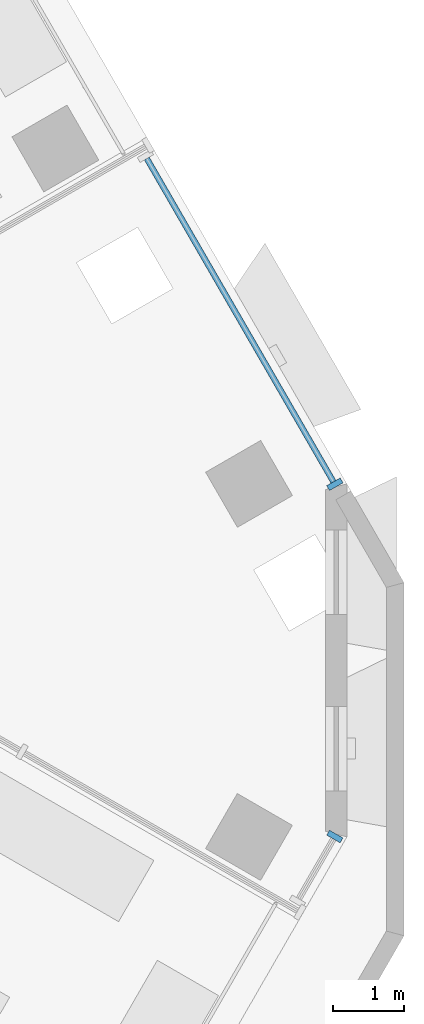
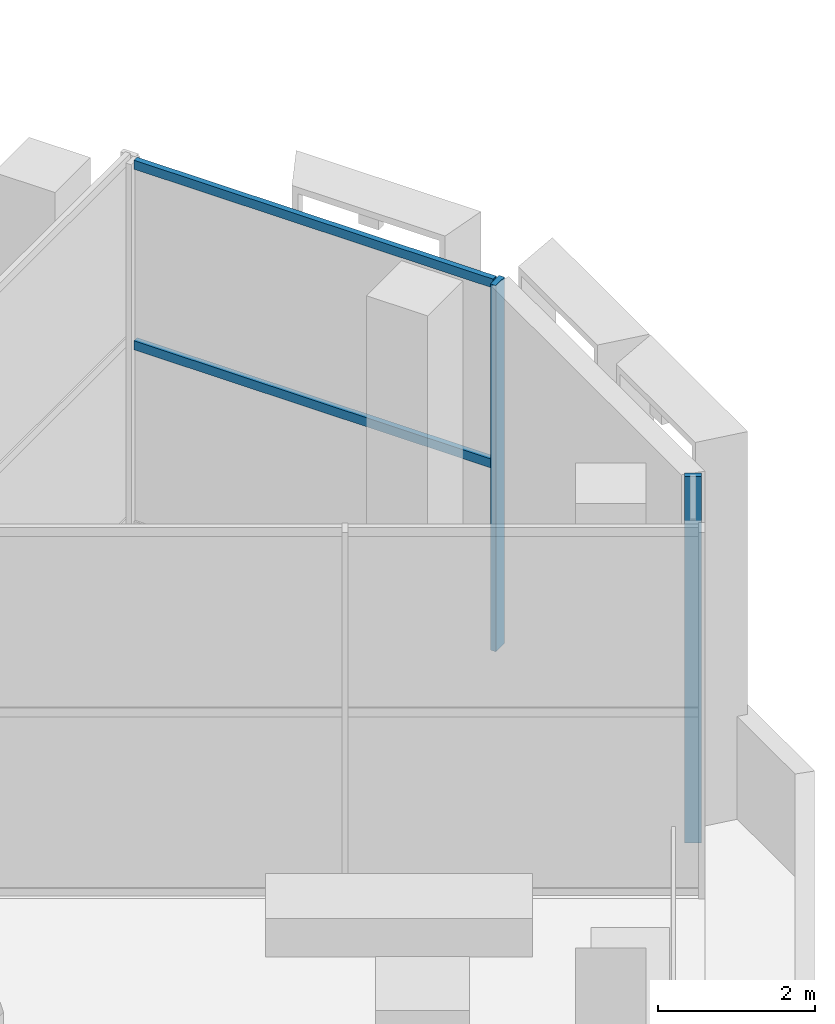
# One storey, part 4 of 27: 4 members, 2 elements without a shape of their own.
"""IFC4 building model written with IfcOpenShell, lengths in metres."""

from ifc_helpers import new_model, si_unit, direction, frame, origin, origin_2d, place, context, subcontext, project, spatial, rectangle, hollow_rectangle, extrude, material, material_profile, profile_set, type_object, element, aggregate, save


model = new_model("IFC4")

# Units and contexts
model_context = context("Model", 3, precision=1e-05, world=origin(), true_north=direction((0.0, 1.0)))
body_context = subcontext(model_context, "Body", "Model", "MODEL_VIEW")
ifc_project = project(units=[si_unit("LENGTHUNIT", "METRE"), si_unit("AREAUNIT", "SQUARE_METRE"), si_unit("VOLUMEUNIT", "CUBIC_METRE"), si_unit("PLANEANGLEUNIT", "RADIAN"), si_unit("MASSUNIT", "GRAM", prefix="KILO")], contexts=[model_context])

# Site, building, storey
site_placement = place(None, origin())
site = spatial("IfcSite", under=ifc_project, at=site_placement, CompositionType="ELEMENT")
building_placement = place(site_placement, origin())
building = spatial("IfcBuilding", under=site, at=building_placement, Name="Beryl Residences", CompositionType="ELEMENT")
storey_placement = place(building_placement, frame((0.0, 0.0, 111.60009765625)))
storey = spatial("IfcBuildingStorey", under=building, at=storey_placement, Name="L34", CompositionType="ELEMENT", Elevation=111.60009765625)

# Curtain wall, member
ifc_material_1 = material(Name="Aluminium and clear glass", Category="aluminium")
curtain_wall_type = type_object("IfcCurtainWallType", Name="CW3 sky garden glazing glazed wall", PredefinedType="NOTDEFINED", material=ifc_material_1)
curtain_wall_1_placement = place(storey_placement, origin())
curtain_wall_1 = element("IfcCurtainWall", 1, at=curtain_wall_1_placement, inside=storey, type_object=curtain_wall_type, Name="CW3 L34 SE", PredefinedType="NOTDEFINED")
ifc_material_2 = material(Name="Aluminium", Category="aluminium")
ifc_material_profile_1 = material_profile(ifc_material_2, rectangle(XDim=0.080078125, YDim=0.219970703125, at=origin_2d()))
ifc_profile_set_1 = profile_set([ifc_material_profile_1], Name="Aluminium")
member_type_1 = type_object("IfcMemberType", Name="CW3-M mullion 80 x 220 mm", PredefinedType="MULLION", material=ifc_profile_set_1)
member_1_placement = place(storey_placement, frame((28.177978515625, -2.0947265625, 0.0), z_axis=(0.0, 0.0, 1.0), x_axis=(0.500102178131, 0.865966403176, 0.0)))
member_1 = element("IfcMember", 2, at=member_1_placement, type_object=member_type_1, Name="CW3 mullion 2", PredefinedType="MULLION", context=body_context, shape_type="SweptSolid", body=[
    extrude(rectangle(XDim=0.080078125, YDim=0.219970703125, at=origin_2d()), origin(), (0.0, 0.0, 1.0), 5.699951171875),
])
aggregate(curtain_wall_1, [member_1])

# Curtain wall, members
curtain_wall_2_placement = place(storey_placement, origin())
curtain_wall_2 = element("IfcCurtainWall", 3, at=curtain_wall_2_placement, inside=storey, type_object=curtain_wall_type, Name="CW3 L34 NE", PredefinedType="NOTDEFINED")
member_2_placement = place(storey_placement, frame((28.177978515625, 2.89453125, 0.0), z_axis=(0.0, 0.0, 1.0), x_axis=(-0.499950258479, 0.866054120161, 0.0)))
member_2 = element("IfcMember", 4, at=member_2_placement, type_object=member_type_1, Name="CW3 mullion 1", PredefinedType="MULLION", context=body_context, shape_type="SweptSolid", body=[
    extrude(rectangle(XDim=0.080078125, YDim=0.219970703125, at=origin_2d()), origin(), (0.0, 0.0, 1.0), 5.699951171875),
])
ifc_material_3 = material(Name="Aluminium", Category="aluminium")
ifc_material_profile_2 = material_profile(ifc_material_3, hollow_rectangle(XDim=0.080078125, YDim=0.139892578125, WallThickness=0.00390625, at=origin_2d()))
ifc_profile_set_2 = profile_set([ifc_material_profile_2], Name="Aluminium")
member_type_2 = type_object("IfcMemberType", Name="CW3-T transom 80 x 140 mm", PredefinedType="USERDEFINED", material=ifc_profile_set_2)
member_3_placement = place(storey_placement, frame((28.157958984375, 2.92919921875, 2.849853515625), z_axis=(-0.4999436497, 0.866057935201, 0.0), x_axis=(-0.866057935201, -0.4999436497, 0.0)))
member_3 = element("IfcMember", 5, at=member_3_placement, type_object=member_type_2, Name="CW3 transom 1.2", ObjectType="TRANSOM", PredefinedType="USERDEFINED", context=body_context, shape_type="SweptSolid", body=[
    extrude(hollow_rectangle(XDim=0.080078125, YDim=0.139892578125, WallThickness=0.00390625, at=origin_2d()), origin(), (0.0, 0.0, 1.0), 5.28662109375),
])
member_4_placement = place(storey_placement, frame((28.157958984375, 2.92919921875, 5.659912109375), z_axis=(-0.4999436497, 0.866057935201, 0.0), x_axis=(-0.866057935201, -0.4999436497, 0.0)))
member_4 = element("IfcMember", 6, at=member_4_placement, type_object=member_type_2, Name="CW3 transom 1.3", ObjectType="TRANSOM", PredefinedType="USERDEFINED", context=body_context, shape_type="SweptSolid", body=[
    extrude(hollow_rectangle(XDim=0.080078125, YDim=0.139892578125, WallThickness=0.00390625, at=origin_2d()), origin(), (0.0, 0.0, 1.0), 5.28662109375),
])
aggregate(curtain_wall_2, [member_2, member_3, member_4])

save(model, "model.ifc")
